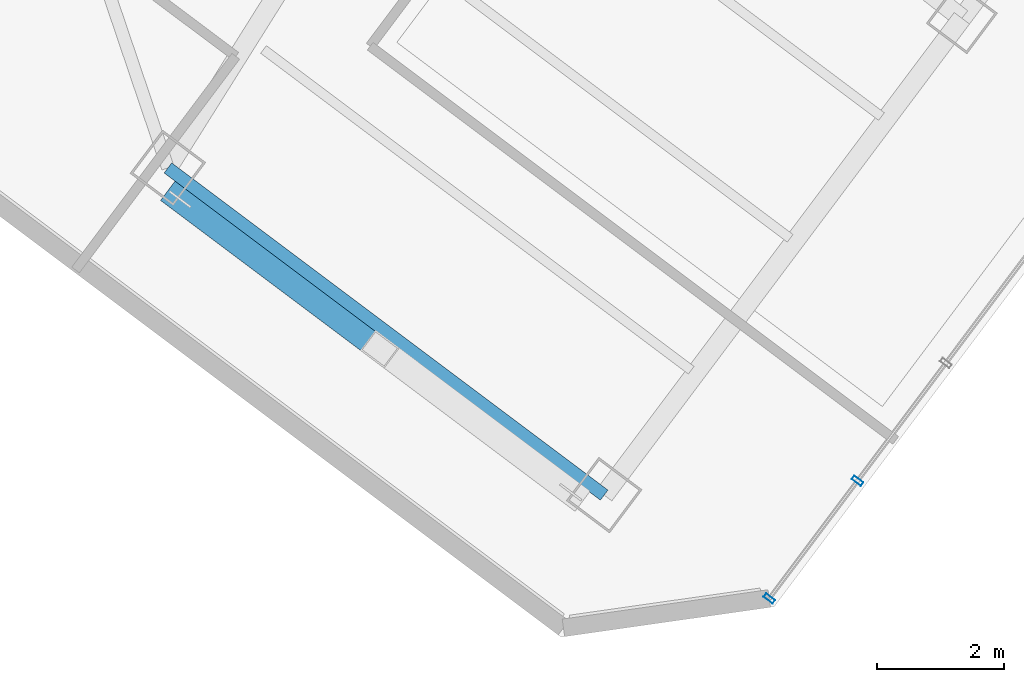
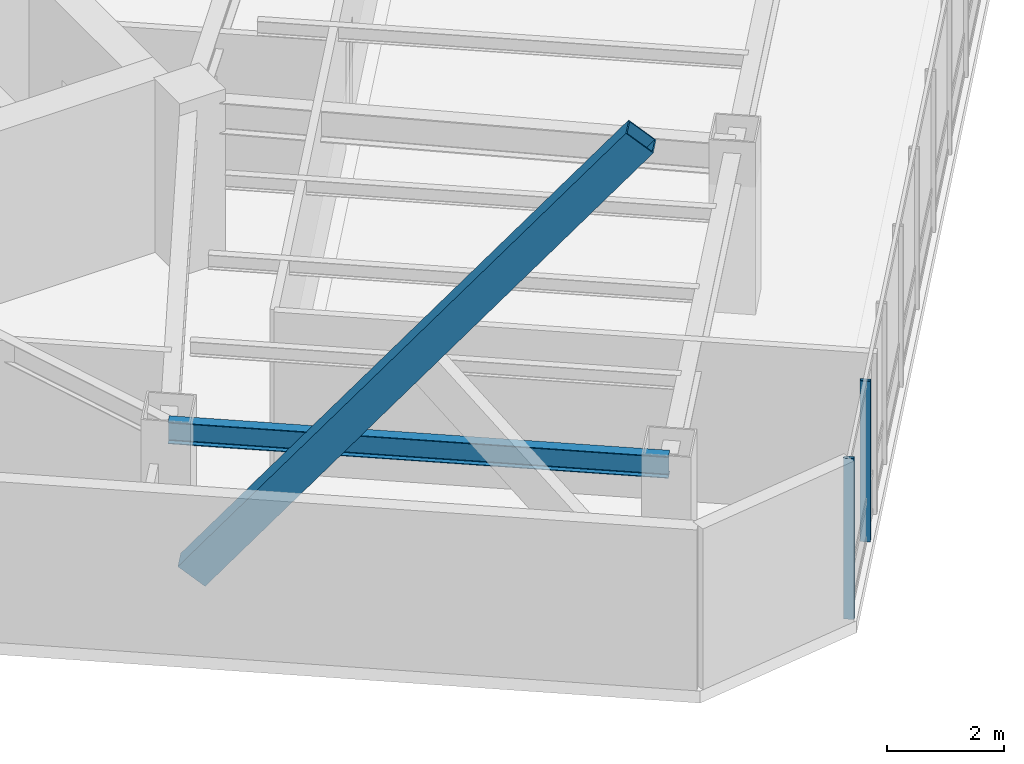
# One storey, part 10 of 26: 3 members, 1 beam, 1 element without a shape of its own.
"""IFC4 building model written with IfcOpenShell, lengths in metres."""

import ifcopenshell
import ifcopenshell.guid

model = None  # the IFC model being written
_history = None  # IfcOwnerHistory: only IFC2X3 demands one
_inside = {}  # id of a spatial element -> (the spatial element, [elements in it])
_under = {}  # id of a project, library or spatial element -> (it, [spatial elements below it])
_declared = {}  # id of a project -> (the project, [libraries it declares])
_typed = {}  # id of a type object -> (the type object, [elements of that type])
_made_of = {}  # id of a material, layer set ... -> (it, [elements and type objects made of it])


def new_model(schema):
    """Start an empty IFC model of exactly this schema.

    Asked for "IFC4X3", IfcOpenShell would pick the latest addendum, in which some entities
    have other attributes; the version numbers below select the first issue.
    IFC2X3 requires an IfcOwnerHistory on every rooted entity: one is made here for all.
    """
    global model, _history
    if schema == "IFC4X3":
        model = ifcopenshell.file(schema_version=(4, 3, 0, 0))
    else:
        model = ifcopenshell.file(schema=schema)
    _inside.clear()
    _under.clear()
    _declared.clear()
    _typed.clear()
    _made_of.clear()
    _history = None
    if model.schema == "IFC2X3":
        org = make("IfcOrganization", Name="unknown")
        user = make(
            "IfcPersonAndOrganization",
            ThePerson=make("IfcPerson", FamilyName="unknown"),
            TheOrganization=org,
        )
        app = make(
            "IfcApplication",
            ApplicationDeveloper=org,
            Version="unknown",
            ApplicationFullName="unknown",
            ApplicationIdentifier="unknown",
        )
        _history = make(
            "IfcOwnerHistory",
            OwningUser=user,
            OwningApplication=app,
            ChangeAction="ADDED",
            CreationDate=0,
        )
    return model


def make(cls, **values):
    """One entity of the class cls with the attributes given. An attribute that is None is left unset."""
    return model.create_entity(
        cls, **{name: value for name, value in values.items() if value is not None}
    )


def rooted(cls, **values):
    """An entity with a GlobalId (a new one), such as an element, a storey or a relation."""
    return make(cls, GlobalId=ifcopenshell.guid.new(), OwnerHistory=_history, **values)


def si_unit(unit_type, name, prefix=None):
    """IfcSIUnit, for example si_unit("LENGTHUNIT", "METRE", prefix="MILLI")."""
    return make("IfcSIUnit", UnitType=unit_type, Prefix=prefix, Name=name)


def assignment(units):
    """IfcUnitAssignment: the units of a project."""
    return None if units is None else make("IfcUnitAssignment", Units=units)


def point(xyz):
    """IfcCartesianPoint."""
    return None if xyz is None else make("IfcCartesianPoint", Coordinates=xyz)


def direction(xyz):
    """IfcDirection."""
    return None if xyz is None else make("IfcDirection", DirectionRatios=xyz)


def frame(location, z_axis=None, x_axis=None):
    """IfcAxis2Placement3D, a coordinate frame: its origin and axes. An axis left out is left unset."""
    return make(
        "IfcAxis2Placement3D",
        Location=point(location),
        Axis=direction(z_axis),
        RefDirection=direction(x_axis),
    )


def frame_2d(location, x_axis=None):
    """IfcAxis2Placement2D, a coordinate frame in the plane: its origin and x axis."""
    return make(
        "IfcAxis2Placement2D", Location=point(location), RefDirection=direction(x_axis)
    )


def origin():
    """The frame at (0, 0, 0) with its axes left unset."""
    return frame((0.0, 0.0, 0.0))


def origin_2d():
    """The frame at (0, 0) in the plane with its x axis left unset."""
    return frame_2d((0.0, 0.0))


def place(relative_to, where):
    """IfcLocalPlacement: puts the frame where relative to a parent placement (None: the world)."""
    return make(
        "IfcLocalPlacement", PlacementRelTo=relative_to, RelativePlacement=where
    )


def context(
    kind, dimensions, precision=None, world=None, true_north=None, identifier=None
):
    """IfcGeometricRepresentationContext, for example the 3D "Model" context."""
    return make(
        "IfcGeometricRepresentationContext",
        ContextIdentifier=identifier,
        ContextType=kind,
        CoordinateSpaceDimension=dimensions,
        Precision=precision,
        WorldCoordinateSystem=world,
        TrueNorth=true_north,
    )


def subcontext(parent, identifier, kind, view, scale=None):
    """IfcGeometricRepresentationSubContext, for example "Body" below "Model"."""
    return make(
        "IfcGeometricRepresentationSubContext",
        ContextIdentifier=identifier,
        ContextType=kind,
        ParentContext=parent,
        TargetScale=scale,
        TargetView=view,
    )


def project(units=None, contexts=None):
    """IfcProject with its units and contexts."""
    return rooted(
        "IfcProject",
        Name="project",
        RepresentationContexts=contexts,
        UnitsInContext=assignment(units),
    )


def spatial(cls, under=None, at=None, **own):
    """A site, building, storey or space (cls), placed at a placement, below another one or the project."""
    s = rooted(cls, ObjectPlacement=at, **own)
    if under is not None:
        _under.setdefault(under.id(), (under, []))[1].append(s)
    return s


def profile(cls, at=None, kind="AREA", **sizes):
    """A parametric profile (cls). Its sizes go by their IFC names, for example OverallWidth=200.0."""
    return make(cls, ProfileType=kind, Position=at, **sizes)


def hollow_rectangle(**sizes):
    """IfcRectangleHollowProfileDef."""
    return profile("IfcRectangleHollowProfileDef", **sizes)


def i_section(**sizes):
    """IfcIShapeProfileDef."""
    return profile("IfcIShapeProfileDef", **sizes)


def extrude(swept, where, along, depth):
    """IfcExtrudedAreaSolid: the profile swept, set in the frame where, extruded along a direction by depth."""
    return make(
        "IfcExtrudedAreaSolid",
        SweptArea=swept,
        Position=where,
        ExtrudedDirection=direction(along),
        Depth=depth,
    )


def shape(context_of_items, identifier, shape_type, items):
    """IfcShapeRepresentation: the items that make up one representation, for example the "Body"."""
    return make(
        "IfcShapeRepresentation",
        ContextOfItems=context_of_items,
        RepresentationIdentifier=identifier,
        RepresentationType=shape_type,
        Items=items,
    )


def material(Name=None, Category=None):
    """IfcMaterial."""
    return make("IfcMaterial", Name=Name, Category=Category)


def layer(
    of_material, thickness, ventilated=None, Name=None, Category=None, Priority=None
):
    """IfcMaterialLayer: one layer of a wall or slab, of a material (None: an air gap)."""
    return make(
        "IfcMaterialLayer",
        Material=of_material,
        LayerThickness=thickness,
        IsVentilated=ventilated,
        Name=Name,
        Category=Category,
        Priority=Priority,
    )


def layer_set(layers, Name=None):
    """IfcMaterialLayerSet."""
    return make("IfcMaterialLayerSet", MaterialLayers=layers, LayerSetName=Name)


def material_profile(
    of_material, cross_section, Name=None, Category=None, Priority=None
):
    """IfcMaterialProfile: a cross section and its material."""
    return make(
        "IfcMaterialProfile",
        Name=Name,
        Material=of_material,
        Profile=cross_section,
        Priority=Priority,
        Category=Category,
    )


def profile_set(profiles, Name=None, composite=None):
    """IfcMaterialProfileSet."""
    return make(
        "IfcMaterialProfileSet",
        Name=Name,
        MaterialProfiles=profiles,
        CompositeProfile=composite,
    )


def made_of(thing, what):
    """Note that an element or type object is made of a material, layer set ...; save() writes the relation."""
    if what is not None:
        _made_of.setdefault(what.id(), (what, []))[1].append(thing)
    return thing


def type_object(cls, material=None, **own):
    """A type object (cls), such as IfcWallType, which elements share."""
    return made_of(rooted(cls, **own), material)


def element(
    cls,
    number,
    at=None,
    inside=None,
    cuts=None,
    type_object=None,
    material=None,
    context=None,
    identifier="Body",
    shape_type=None,
    held_by="IfcProductDefinitionShape",
    body=None,
    shapes=None,
    **own,
):
    """One element of the class cls, such as IfcWall. Its Tag is "e" and its number.

    at: its placement. inside: the storey or other place that contains it. cuts: it is an
    opening in that element (IfcRelVoidsElement). A single representation is given by context,
    identifier, shape_type and body (its items); several are given by shapes. held_by: the class
    of the entity that holds the representations. save() writes the other relations.
    """
    e = rooted(cls, Tag="e%d" % number, ObjectPlacement=at, **own)
    if body is not None:
        shapes = [shape(context, identifier, shape_type, body)]
    if shapes is not None:
        e.Representation = make(held_by, Representations=shapes)
    if inside is not None:
        _inside.setdefault(inside.id(), (inside, []))[1].append(e)
    if cuts is not None:
        rooted(
            "IfcRelVoidsElement", RelatingBuildingElement=cuts, RelatedOpeningElement=e
        )
    if type_object is not None:
        _typed.setdefault(type_object.id(), (type_object, []))[1].append(e)
    return made_of(e, material)


def aggregate(whole, parts):
    """IfcRelAggregates: a whole, such as a stair, and the parts it consists of."""
    return rooted("IfcRelAggregates", RelatingObject=whole, RelatedObjects=parts)


def save(model, path):
    """Write the relations noted so far, then the file.

    IfcRelAggregates (storeys below a building ...), IfcRelContainedInSpatialStructure (elements
    in a storey), IfcRelDefinesByType, IfcRelAssociatesMaterial and IfcRelDeclares: one each for
    every whole, place, type object, material and project.
    """
    for whole, parts in _under.values():
        aggregate(whole, parts)
    for where, things in _inside.values():
        rooted(
            "IfcRelContainedInSpatialStructure",
            RelatedElements=things,
            RelatingStructure=where,
        )
    for kind, things in _typed.values():
        rooted("IfcRelDefinesByType", RelatedObjects=things, RelatingType=kind)
    for what, things in _made_of.values():
        rooted("IfcRelAssociatesMaterial", RelatedObjects=things, RelatingMaterial=what)
    for by, libraries in _declared.values():
        rooted("IfcRelDeclares", RelatingContext=by, RelatedDefinitions=libraries)
    model.write(path)


model = new_model("IFC4")

# Units and contexts
model_context = context("Model", 3, precision=1e-05, world=origin(), true_north=direction((0.0, 1.0)))
body_context = subcontext(model_context, "Body", "Model", "MODEL_VIEW")
ifc_project = project(units=[si_unit("LENGTHUNIT", "METRE"), si_unit("AREAUNIT", "SQUARE_METRE"), si_unit("VOLUMEUNIT", "CUBIC_METRE"), si_unit("PLANEANGLEUNIT", "RADIAN"), si_unit("MASSUNIT", "GRAM", prefix="KILO")], contexts=[model_context])

# Site, building, storey
site_placement = place(None, origin())
site = spatial("IfcSite", under=ifc_project, at=site_placement, CompositionType="ELEMENT")
building_placement = place(site_placement, origin())
building = spatial("IfcBuilding", under=site, at=building_placement, Name="Hatsunagi Terrace Concourse", CompositionType="ELEMENT")
storey_placement = place(building_placement, frame((0.0, 0.0, 134.85009765625)))
storey = spatial("IfcBuildingStorey", under=building, at=storey_placement, Name="L35", CompositionType="ELEMENT", Elevation=134.85009765625)

# Curtain wall, members
ifc_material_1 = material(Name="Anodised Aluminium Alloy 6063-T5", Category="aluminium")
ifc_layer = layer(ifc_material_1, 0.199951171875)
ifc_layer_set = layer_set([ifc_layer], Name="OfficeZone1_CW03")
curtain_wall_type = type_object("IfcCurtainWallType", Name="OfficeZone1_CW03", PredefinedType="NOTDEFINED", material=ifc_layer_set)
curtain_wall_placement = place(storey_placement, origin())
curtain_wall = element("IfcCurtainWall", 1, at=curtain_wall_placement, inside=storey, type_object=curtain_wall_type, Name="Unitised Curtain Wall CW-03 CW-L35-03", PredefinedType="NOTDEFINED")
ifc_material_2 = material(Name="Anodised Aluminium Alloy 6063-T5", Category="aluminium")
ifc_material_profile_1 = material_profile(ifc_material_2, hollow_rectangle(XDim=0.070068359375, YDim=0.179931640625, WallThickness=0.00390625, at=origin_2d()), Name="ALU-MUL-180x70x4")
ifc_profile_set_1 = profile_set([ifc_material_profile_1], Name="Anodised Aluminium Alloy 6063-T5")
member_type_1 = type_object("IfcMemberType", Name="CurtainWallMullion_180x70", PredefinedType="MULLION", material=ifc_profile_set_1)
member_1_placement = place(storey_placement, frame((49.554931640625, 11.10595703125, 0.0), z_axis=(0.0, 0.0, 1.0), x_axis=(-0.599969314634, -0.800023013105, 0.0)))
member_1 = element("IfcMember", 2, at=member_1_placement, type_object=member_type_1, Name="Curtain Wall Mullion MUL-02", PredefinedType="MULLION", context=body_context, shape_type="SweptSolid", body=[
    extrude(hollow_rectangle(XDim=0.070068359375, YDim=0.179931640625, WallThickness=0.00390625, at=origin_2d()), origin(), (0.0, 0.0, 1.0), 3.349853515625),
])
member_2_placement = place(storey_placement, frame((48.1630859375, 9.25, 0.0), z_axis=(0.0, 0.0, 1.0), x_axis=(-0.599969314634, -0.800023013105, 0.0)))
member_2 = element("IfcMember", 3, at=member_2_placement, type_object=member_type_1, Name="Curtain Wall Mullion MUL-02", PredefinedType="MULLION", context=body_context, shape_type="SweptSolid", body=[
    extrude(hollow_rectangle(XDim=0.070068359375, YDim=0.179931640625, WallThickness=0.00390625, at=origin_2d()), origin(), (0.0, 0.0, 1.0), 3.349853515625),
])
aggregate(curtain_wall, [member_1, member_2])

# Beam
ifc_material_3 = material(Name="Steel SN490B", Category="steel")
ifc_material_profile_2 = material_profile(ifc_material_3, i_section(OverallWidth=0.199951171875, OverallDepth=0.449951171875, WebThickness=0.009033203125, FlangeThickness=0.013916015625, FilletRadius=0.01611328125, at=origin_2d()), Name="H-450x200x9x14")
ifc_profile_set_2 = profile_set([ifc_material_profile_2], Name="Steel SN490B")
beam_type = type_object("IfcBeamType", Name="PerimeterSpandrel_H_450x200", PredefinedType="SPANDREL", material=ifc_profile_set_2)
beam_placement = place(storey_placement, frame((38.679931640625, 16.0400390625, 3.125), z_axis=(0.799996593451, -0.600004542038, 0.0), x_axis=(0.600004542038, 0.799996593451, 0.0)))
element("IfcBeam", 4, at=beam_placement, inside=storey, type_object=beam_type, Name="Beam SP-02 BM-L35-SE-SW2", PredefinedType="SPANDREL", context=body_context, shape_type="SweptSolid", body=[
    extrude(i_section(OverallWidth=0.199951171875, OverallDepth=0.449951171875, WebThickness=0.009033203125, FlangeThickness=0.013916015625, FilletRadius=0.01611328125, at=origin_2d()), origin(), (0.0, 0.0, 1.0), 8.60009765625),
])

# Member
ifc_material_4 = material(Name="Steel SN490B", Category="steel")
ifc_material_profile_3 = material_profile(ifc_material_4, hollow_rectangle(XDim=0.39990234375, YDim=0.60009765625, WallThickness=0.02490234375, at=origin_2d()), Name="RHS-600x400x25")
ifc_profile_set_3 = profile_set([ifc_material_profile_3], Name="Steel SN490B")
member_type_2 = type_object("IfcMemberType", Name="PerimeterXBrace_Mid_RHS_600x400x25", PredefinedType="BRACE", material=ifc_profile_set_3)
member_3_placement = place(storey_placement, frame((38.8720703125, 15.5458984375, 0.43994140625), z_axis=(0.498333123277, -0.373744904751, 0.782290767182), x_axis=(0.599994926839, 0.800003804845, 0.0)))
element("IfcMember", 5, at=member_3_placement, inside=storey, type_object=member_type_2, Name="Perimeter X-Brace XB-02 XB-L35-SEA", PredefinedType="BRACE", context=body_context, shape_type="SweptSolid", body=[
    extrude(hollow_rectangle(XDim=0.39990234375, YDim=0.60009765625, WallThickness=0.02490234375, at=origin_2d()), origin(), (0.0, 0.0, 1.0), 12.361083984375),
])

save(model, "model.ifc")
